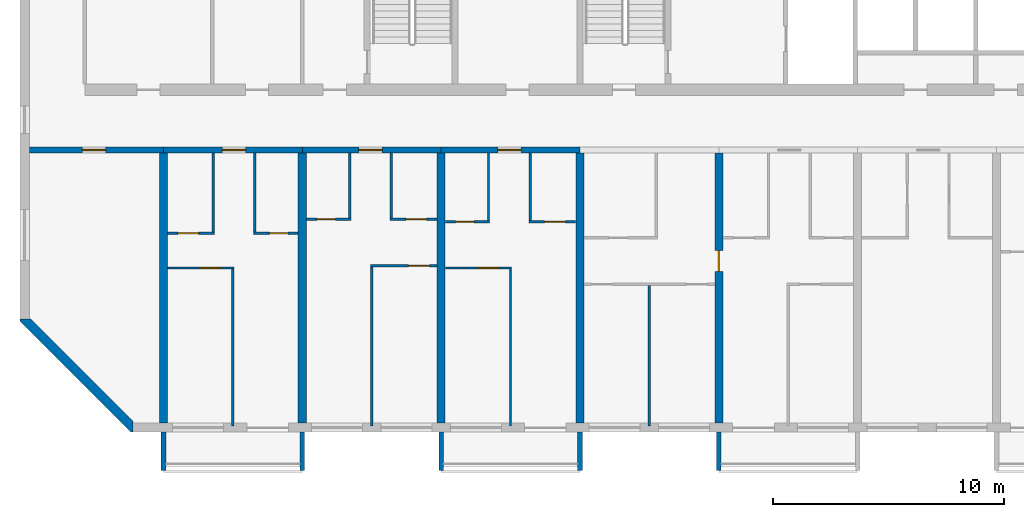
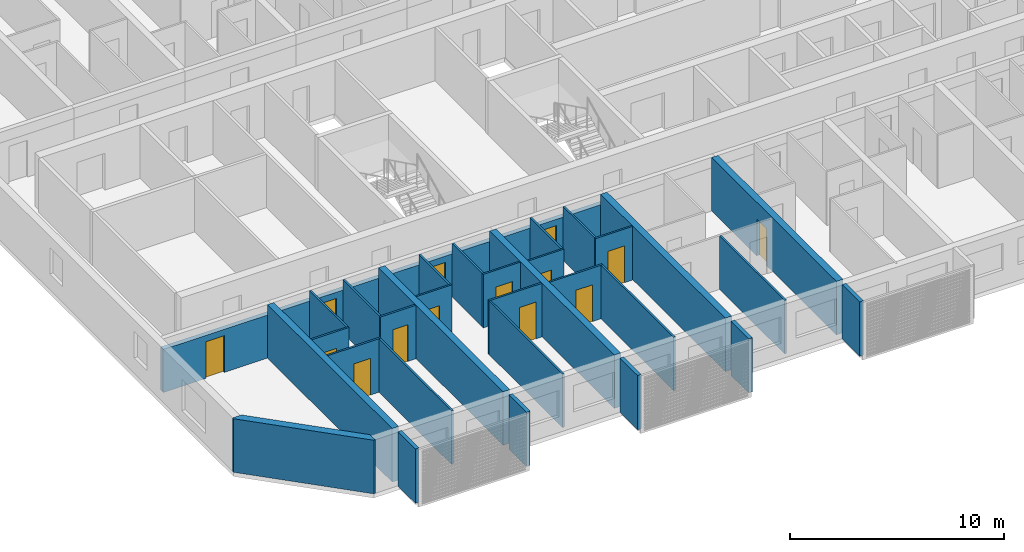
# One storey, part 2 of 27: 34 walls, 14 doors, 14 openings.
"""IFC4 building model written with IfcOpenShell, lengths in metres."""

from ifc_helpers import new_model, si_unit, direction, frame, frame_2d, origin, place, context, subcontext, project, spatial, polyline, rectangle, outline, extrude, source, transform, mapped, material, layer, layer_set, type_object, element, fill, save


model = new_model("IFC4")

# Units and contexts
model_context = context("Model", 3, precision=1e-05, world=origin(), true_north=direction((0.0, 1.0)))
body_context = subcontext(model_context, "Body", "Model", "MODEL_VIEW")
ifc_project = project(units=[si_unit("LENGTHUNIT", "METRE"), si_unit("AREAUNIT", "SQUARE_METRE"), si_unit("VOLUMEUNIT", "CUBIC_METRE"), si_unit("PLANEANGLEUNIT", "RADIAN"), si_unit("MASSUNIT", "GRAM", prefix="KILO")], contexts=[model_context])

# Site, building, storey
site_placement = place(None, origin())
site = spatial("IfcSite", under=ifc_project, at=site_placement, CompositionType="ELEMENT")
building_placement = place(site_placement, origin())
building = spatial("IfcBuilding", under=site, at=building_placement, Name="Poui Terraces", CompositionType="ELEMENT")
storey_placement = place(building_placement, frame((0.0, 0.0, 76.199951171875)))
storey = spatial("IfcBuildingStorey", under=building, at=storey_placement, Name="L20", CompositionType="ELEMENT", Elevation=76.199951171875)

# Wall, opening, door
ifc_material_1 = material(Name="Concrete 65 MPa", Category="concrete")
ifc_layer_1 = layer(ifc_material_1, 0.25)
ifc_layer_set_1 = layer_set([ifc_layer_1], Name="Concrete 65 MPa")
wall_type_1 = type_object("IfcWallType", Name="CORRIDOR WALL 250 65MPa", PredefinedType="SHEAR", material=ifc_layer_set_1)
wall_1_placement = place(storey_placement, frame((6.199951171875, 12.0, 0.0), z_axis=(0.0, 0.0, 1.0), x_axis=(1.0, 0.0, 0.0)))
wall_1 = element("IfcWall", 1, at=wall_1_placement, inside=storey, type_object=wall_type_1, Name="CORRIDOR WALL LINE B BAY 1", PredefinedType="SHEAR", context=body_context, shape_type="SweptSolid", body=[
    extrude(rectangle(XDim=5.800048828125, YDim=0.25, at=frame_2d((2.89990234375, 0.0))), origin(), (0.0, 0.0, 1.0), 2.4599609375),
])
opening_1_placement = place(wall_1_placement, frame((2.300048828125, 0.0, 0.0)))
opening_1 = element("IfcOpeningElement", 2, at=opening_1_placement, cuts=wall_1, Name="Opening D100", PredefinedType="OPENING", context=body_context, shape_type="SweptSolid", body=[
    extrude(rectangle(XDim=1.0, YDim=2.10009765625, at=frame_2d((0.5, 1.050048828125))), frame((0.0, 0.135009765625, 0.0), z_axis=(0.0, -1.0, 0.0), x_axis=(1.0, 0.0, 0.0)), (0.0, 0.0, 1.0), 0.27001953125),
])
ifc_material_2 = material(Name="Solid core timber door", Category="wood")
door_type_1 = type_object("IfcDoorType", Name="ACCESSIBLE INTERNAL DOOR 1000 X 2100", OperationType="NOTDEFINED", PredefinedType="DOOR", material=ifc_material_2)
door_1_placement = place(opening_1_placement, frame((1.0, 0.0, 0.0), z_axis=(0.0, 0.0, 1.0), x_axis=(-1.0, 0.0, 0.0)))
door_1 = element("IfcDoor", 3, at=door_1_placement, inside=storey, type_object=door_type_1, Name="ACCESSIBLE INTERNAL DOOR 083", OperationType="SINGLE_SWING_RIGHT", OverallHeight=2.10009765625, OverallWidth=1.0, PredefinedType="DOOR", context=body_context, shape_type="SweptSolid", body=[
    extrude(rectangle(XDim=1.0, YDim=2.10009765625, at=frame_2d((0.5, 1.050048828125))), frame((0.0, 0.02490234375, 0.0), z_axis=(0.0, -1.0, 0.0), x_axis=(1.0, 0.0, 0.0)), (0.0, 0.0, 1.0), 0.050048828125),
])
fill(opening_1, door_1)

wall_2_placement = place(storey_placement, frame((12.0, 12.0, 0.0), z_axis=(0.0, 0.0, 1.0), x_axis=(1.0, 0.0, 0.0)))
wall_2 = element("IfcWall", 4, at=wall_2_placement, inside=storey, type_object=wall_type_1, Name="CORRIDOR WALL LINE B BAY 2", PredefinedType="SHEAR", context=body_context, shape_type="SweptSolid", body=[
    extrude(rectangle(XDim=6.0, YDim=0.25, at=frame_2d((3.0, 0.0))), origin(), (0.0, 0.0, 1.0), 2.4599609375),
])
opening_2_placement = place(wall_2_placement, frame((2.550048828125, 0.0, 0.0)))
opening_2 = element("IfcOpeningElement", 5, at=opening_2_placement, cuts=wall_2, Name="Opening FD30S", PredefinedType="OPENING", context=body_context, shape_type="SweptSolid", body=[
    extrude(rectangle(XDim=1.0, YDim=2.10009765625, at=frame_2d((0.5, 1.050048828125))), frame((0.0, 0.135009765625, 0.0), z_axis=(0.0, -1.0, 0.0), x_axis=(1.0, 0.0, 0.0)), (0.0, 0.0, 1.0), 0.27001953125),
])
ifc_material_3 = material(Name="Steel fire door", Category="steel")
door_type_2 = type_object("IfcDoorType", Name="FLAT ENTRANCE DOOR 1000 X 2100", OperationType="NOTDEFINED", PredefinedType="DOOR", material=ifc_material_3)
door_2_placement = place(opening_2_placement, frame((1.0, 0.0, 0.0), z_axis=(0.0, 0.0, 1.0), x_axis=(-1.0, 0.0, 0.0)))
door_2 = element("IfcDoor", 6, at=door_2_placement, inside=storey, type_object=door_type_2, Name="FLAT ENTRANCE DOOR 086", OperationType="SINGLE_SWING_LEFT", OverallHeight=2.10009765625, OverallWidth=1.0, PredefinedType="DOOR", context=body_context, shape_type="SweptSolid", body=[
    extrude(rectangle(XDim=1.0, YDim=2.10009765625, at=frame_2d((0.5, 1.050048828125))), frame((0.0, 0.02490234375, 0.0), z_axis=(0.0, -1.0, 0.0), x_axis=(1.0, 0.0, 0.0)), (0.0, 0.0, 1.0), 0.050048828125),
])
fill(opening_2, door_2)

wall_3_placement = place(storey_placement, frame((18.0, 12.0, 0.0), z_axis=(0.0, 0.0, 1.0), x_axis=(1.0, 0.0, 0.0)))
wall_3 = element("IfcWall", 7, at=wall_3_placement, inside=storey, type_object=wall_type_1, Name="CORRIDOR WALL LINE B BAY 3", PredefinedType="SHEAR", context=body_context, shape_type="SweptSolid", body=[
    extrude(rectangle(XDim=6.0, YDim=0.25, at=frame_2d((3.0, 0.0))), origin(), (0.0, 0.0, 1.0), 2.4599609375),
])
opening_3_placement = place(wall_3_placement, frame((2.449951171875, 0.0, 0.0)))
opening_3 = element("IfcOpeningElement", 8, at=opening_3_placement, cuts=wall_3, Name="Opening FD30S", PredefinedType="OPENING", context=body_context, shape_type="SweptSolid", body=[
    extrude(rectangle(XDim=1.0, YDim=2.10009765625, at=frame_2d((0.5, 1.050048828125))), frame((0.0, 0.135009765625, 0.0), z_axis=(0.0, -1.0, 0.0), x_axis=(1.0, 0.0, 0.0)), (0.0, 0.0, 1.0), 0.27001953125),
])
door_3_placement = place(opening_3_placement, frame((1.0, 0.0, 0.0), z_axis=(0.0, 0.0, 1.0), x_axis=(-1.0, 0.0, 0.0)))
door_3 = element("IfcDoor", 9, at=door_3_placement, inside=storey, type_object=door_type_2, Name="FLAT ENTRANCE DOOR 089", OperationType="SINGLE_SWING_RIGHT", OverallHeight=2.10009765625, OverallWidth=1.0, PredefinedType="DOOR", context=body_context, shape_type="SweptSolid", body=[
    extrude(rectangle(XDim=1.0, YDim=2.10009765625, at=frame_2d((0.5, 1.050048828125))), frame((0.0, 0.02490234375, 0.0), z_axis=(0.0, -1.0, 0.0), x_axis=(1.0, 0.0, 0.0)), (0.0, 0.0, 1.0), 0.050048828125),
])
fill(opening_3, door_3)

wall_4_placement = place(storey_placement, frame((24.0, 12.0, 0.0), z_axis=(0.0, 0.0, 1.0), x_axis=(1.0, 0.0, 0.0)))
wall_4 = element("IfcWall", 10, at=wall_4_placement, inside=storey, type_object=wall_type_1, Name="CORRIDOR WALL LINE B BAY 4", PredefinedType="SHEAR", context=body_context, shape_type="SweptSolid", body=[
    extrude(rectangle(XDim=6.0, YDim=0.25, at=frame_2d((3.0, 0.0))), origin(), (0.0, 0.0, 1.0), 2.4599609375),
])
opening_4_placement = place(wall_4_placement, frame((2.449951171875, 0.0, 0.0)))
opening_4 = element("IfcOpeningElement", 11, at=opening_4_placement, cuts=wall_4, Name="Opening FD30S", PredefinedType="OPENING", context=body_context, shape_type="SweptSolid", body=[
    extrude(rectangle(XDim=1.0, YDim=2.10009765625, at=frame_2d((0.5, 1.050048828125))), frame((0.0, 0.135009765625, 0.0), z_axis=(0.0, -1.0, 0.0), x_axis=(1.0, 0.0, 0.0)), (0.0, 0.0, 1.0), 0.27001953125),
])
door_4_placement = place(opening_4_placement, frame((1.0, 0.0, 0.0), z_axis=(0.0, 0.0, 1.0), x_axis=(-1.0, 0.0, 0.0)))
door_4 = element("IfcDoor", 12, at=door_4_placement, inside=storey, type_object=door_type_2, Name="FLAT ENTRANCE DOOR 094", OperationType="SINGLE_SWING_RIGHT", OverallHeight=2.10009765625, OverallWidth=1.0, PredefinedType="DOOR", context=body_context, shape_type="SweptSolid", body=[
    extrude(rectangle(XDim=1.0, YDim=2.10009765625, at=frame_2d((0.5, 1.050048828125))), frame((0.0, 0.02490234375, 0.0), z_axis=(0.0, -1.0, 0.0), x_axis=(1.0, 0.0, 0.0)), (0.0, 0.0, 1.0), 0.050048828125),
])
fill(opening_4, door_4)

# Walls
ifc_layer_2 = layer(ifc_material_1, 0.35009765625)
ifc_layer_set_2 = layer_set([ifc_layer_2], Name="Concrete 65 MPa")
wall_type_2 = type_object("IfcWallType", Name="CROSS WALL 350 65MPa", PredefinedType="SHEAR", material=ifc_layer_set_2)
for number, where, z_axis, x_axis, name in (
    (13, (12.0, 0.199951171875, 0.0), (0.0, 0.0, 1.0), (0.0, 1.0, 0.0), "CROSS WALL LINE 3 SOUTH"),
    (14, (18.0, 0.199951171875, 0.0), (0.0, 0.0, 1.0), (0.0, 1.0, 0.0), "CROSS WALL LINE 4 SOUTH"),
    (15, (24.0, 0.199951171875, 0.0), (0.0, 0.0, 1.0), (0.0, 1.0, 0.0), "CROSS WALL LINE 5 SOUTH"),
    (16, (30.0, 0.199951171875, 0.0), (0.0, 0.0, 1.0), (0.0, 1.0, 0.0), "CROSS WALL LINE 6 SOUTH"),
):
    element("IfcWall", number, at=place(storey_placement, frame(where, z_axis=z_axis, x_axis=x_axis)), inside=storey, type_object=wall_type_2, Name=name, PredefinedType="SHEAR", context=body_context, shape_type="SweptSolid", body=[
        extrude(rectangle(XDim=11.675048828125, YDim=0.35009765625, at=frame_2d((5.83740234375, 0.0))), origin(), (0.0, 0.0, 1.0), 3.06005859375),
    ])

# Wall, opening, door
wall_5_placement = place(storey_placement, frame((36.0, 0.199951171875, 0.0), z_axis=(0.0, 0.0, 1.0), x_axis=(0.0, 1.0, 0.0)))
wall_5 = element("IfcWall", 17, at=wall_5_placement, inside=storey, type_object=wall_type_2, Name="CROSS WALL LINE 7 SOUTH", PredefinedType="SHEAR", context=body_context, shape_type="SweptSolid", body=[
    extrude(rectangle(XDim=11.675048828125, YDim=0.35009765625, at=frame_2d((5.83740234375, 0.0))), origin(), (0.0, 0.0, 1.0), 3.06005859375),
])
opening_5_placement = place(wall_5_placement, frame((6.550048828125, 0.0, 0.0)))
opening_5 = element("IfcOpeningElement", 18, at=opening_5_placement, cuts=wall_5, Name="Opening D90", PredefinedType="OPENING", context=body_context, shape_type="SweptSolid", body=[
    extrude(rectangle(XDim=0.89990234375, YDim=2.10009765625, at=frame_2d((0.449951171875, 1.050048828125))), frame((0.0, 0.18505859375, 0.0), z_axis=(0.0, -1.0, 0.0), x_axis=(1.0, 0.0, 0.0)), (0.0, 0.0, 1.0), 0.3701171875),
])
door_type_3 = type_object("IfcDoorType", Name="INTERNAL DOOR 900 X 2100", OperationType="NOTDEFINED", PredefinedType="DOOR", material=ifc_material_2)
door_5_placement = place(opening_5_placement, frame((0.89990234375, 0.0, 0.0), z_axis=(0.0, 0.0, 1.0), x_axis=(-1.0, 0.0, 0.0)))
door_5 = element("IfcDoor", 19, at=door_5_placement, inside=storey, type_object=door_type_3, Name="INTERNAL DOOR 099", OperationType="SINGLE_SWING_LEFT", OverallHeight=2.10009765625, OverallWidth=0.89990234375, PredefinedType="DOOR", context=body_context, shape_type="SweptSolid", body=[
    extrude(rectangle(XDim=0.89990234375, YDim=2.10009765625, at=frame_2d((0.449951171875, 1.050048828125))), frame((0.0, 0.02490234375, 0.0), z_axis=(0.0, -1.0, 0.0), x_axis=(1.0, 0.0, 0.0)), (0.0, 0.0, 1.0), 0.050048828125),
])
fill(opening_5, door_5)

ifc_material_4 = material(Name="Plasterboard partition")
ifc_layer_3 = layer(ifc_material_4, 0.10009765625)
ifc_layer_set_3 = layer_set([ifc_layer_3], Name="Plasterboard partition")
wall_type_3 = type_object("IfcWallType", Name="FLAT PARTITION 100", PredefinedType="PARTITIONING", material=ifc_layer_set_3)
wall_6_placement = place(storey_placement, frame((12.18505859375, 6.89990234375, 0.0), z_axis=(0.0, 0.0, 1.0), x_axis=(1.0, 0.0, 0.0)))
wall_6 = element("IfcWall", 20, at=wall_6_placement, inside=storey, type_object=wall_type_3, Name="FLAT PARTITION 100", PredefinedType="PARTITIONING", context=body_context, shape_type="SweptSolid", body=[
    extrude(rectangle(XDim=2.864990234375, YDim=0.10009765625, at=frame_2d((1.4326171875, 0.0))), origin(), (0.0, 0.0, 1.0), 3.06005859375),
])
opening_6_placement = place(wall_6_placement, frame((1.4150390625, 0.0, 0.0)))
opening_6 = element("IfcOpeningElement", 21, at=opening_6_placement, cuts=wall_6, Name="Opening D90", PredefinedType="OPENING", context=body_context, shape_type="SweptSolid", body=[
    extrude(rectangle(XDim=0.89990234375, YDim=2.10009765625, at=frame_2d((0.449951171875, 1.050048828125))), frame((0.0, 0.06005859375, 0.0), z_axis=(0.0, -1.0, 0.0), x_axis=(1.0, 0.0, 0.0)), (0.0, 0.0, 1.0), 0.1201171875),
])
door_6_placement = place(opening_6_placement, origin())
door_6 = element("IfcDoor", 22, at=door_6_placement, inside=storey, type_object=door_type_3, Name="INTERNAL DOOR 085", OperationType="SINGLE_SWING_LEFT", OverallHeight=2.10009765625, OverallWidth=0.89990234375, PredefinedType="DOOR", context=body_context, shape_type="SweptSolid", body=[
    extrude(rectangle(XDim=0.89990234375, YDim=2.10009765625, at=frame_2d((0.449951171875, 1.050048828125))), frame((0.0, 0.02490234375, 0.0), z_axis=(0.0, -1.0, 0.0), x_axis=(1.0, 0.0, 0.0)), (0.0, 0.0, 1.0), 0.050048828125),
])
fill(opening_6, door_6)

wall_7_placement = place(storey_placement, frame((24.18505859375, 6.89990234375, 0.0), z_axis=(0.0, 0.0, 1.0), x_axis=(1.0, 0.0, 0.0)))
wall_7 = element("IfcWall", 23, at=wall_7_placement, inside=storey, type_object=wall_type_3, Name="FLAT PARTITION 100", PredefinedType="PARTITIONING", context=body_context, shape_type="SweptSolid", body=[
    extrude(rectangle(XDim=2.864990234375, YDim=0.10009765625, at=frame_2d((1.4326171875, 0.0))), origin(), (0.0, 0.0, 1.0), 3.06005859375),
])
opening_7_placement = place(wall_7_placement, frame((1.4150390625, 0.0, 0.0)))
opening_7 = element("IfcOpeningElement", 24, at=opening_7_placement, cuts=wall_7, Name="Opening D90", PredefinedType="OPENING", context=body_context, shape_type="SweptSolid", body=[
    extrude(rectangle(XDim=0.89990234375, YDim=2.10009765625, at=frame_2d((0.449951171875, 1.050048828125))), frame((0.0, 0.06005859375, 0.0), z_axis=(0.0, -1.0, 0.0), x_axis=(1.0, 0.0, 0.0)), (0.0, 0.0, 1.0), 0.1201171875),
])
door_7_placement = place(opening_7_placement, origin())
door_7 = element("IfcDoor", 25, at=door_7_placement, inside=storey, type_object=door_type_3, Name="INTERNAL DOOR 093", OperationType="SINGLE_SWING_LEFT", OverallHeight=2.10009765625, OverallWidth=0.89990234375, PredefinedType="DOOR", context=body_context, shape_type="SweptSolid", body=[
    extrude(rectangle(XDim=0.89990234375, YDim=2.10009765625, at=frame_2d((0.449951171875, 1.050048828125))), frame((0.0, 0.02490234375, 0.0), z_axis=(0.0, -1.0, 0.0), x_axis=(1.0, 0.0, 0.0)), (0.0, 0.0, 1.0), 0.050048828125),
])
fill(opening_7, door_7)

wall_8_placement = place(storey_placement, frame((20.949951171875, 7.0, 0.0), z_axis=(0.0, 0.0, 1.0), x_axis=(1.0, 0.0, 0.0)))
wall_8 = element("IfcWall", 26, at=wall_8_placement, inside=storey, type_object=wall_type_3, Name="FLAT PARTITION 100", PredefinedType="PARTITIONING", context=body_context, shape_type="SweptSolid", body=[
    extrude(rectangle(XDim=2.864990234375, YDim=0.10009765625, at=frame_2d((1.4326171875, 0.0))), origin(), (0.0, 0.0, 1.0), 3.06005859375),
])
opening_8_placement = place(wall_8_placement, frame((1.64990234375, 0.0, 0.0)))
opening_8 = element("IfcOpeningElement", 27, at=opening_8_placement, cuts=wall_8, Name="Opening D90", PredefinedType="OPENING", context=body_context, shape_type="SweptSolid", body=[
    extrude(rectangle(XDim=0.89990234375, YDim=2.10009765625, at=frame_2d((0.449951171875, 1.050048828125))), frame((0.0, 0.06005859375, 0.0), z_axis=(0.0, -1.0, 0.0), x_axis=(1.0, 0.0, 0.0)), (0.0, 0.0, 1.0), 0.1201171875),
])
door_8_placement = place(opening_8_placement, origin())
door_8 = element("IfcDoor", 28, at=door_8_placement, inside=storey, type_object=door_type_3, Name="INTERNAL DOOR 091", OperationType="SINGLE_SWING_LEFT", OverallHeight=2.10009765625, OverallWidth=0.89990234375, PredefinedType="DOOR", context=body_context, shape_type="SweptSolid", body=[
    extrude(rectangle(XDim=0.89990234375, YDim=2.10009765625, at=frame_2d((0.449951171875, 1.050048828125))), frame((0.0, 0.02490234375, 0.0), z_axis=(0.0, -1.0, 0.0), x_axis=(1.0, 0.0, 0.0)), (0.0, 0.0, 1.0), 0.050048828125),
])
fill(opening_8, door_8)

wall_9_placement = place(storey_placement, frame((12.18505859375, 8.39990234375, 0.0), z_axis=(0.0, 0.0, 1.0), x_axis=(1.0, 0.0, 0.0)))
wall_9 = element("IfcWall", 29, at=wall_9_placement, inside=storey, type_object=wall_type_3, Name="FLAT PARTITION 100", PredefinedType="PARTITIONING", context=body_context, shape_type="SweptSolid", body=[
    extrude(rectangle(XDim=2.014892578125, YDim=0.10009765625, at=frame_2d((1.00732421875, 0.0))), origin(), (0.0, 0.0, 1.0), 3.06005859375),
])
opening_9_placement = place(wall_9_placement, frame((0.43994140625, 0.0, 0.0)))
opening_9 = element("IfcOpeningElement", 30, at=opening_9_placement, cuts=wall_9, Name="Opening D90", PredefinedType="OPENING", context=body_context, shape_type="SweptSolid", body=[
    extrude(rectangle(XDim=0.89990234375, YDim=2.10009765625, at=frame_2d((0.449951171875, 1.050048828125))), frame((0.0, 0.06005859375, 0.0), z_axis=(0.0, -1.0, 0.0), x_axis=(1.0, 0.0, 0.0)), (0.0, 0.0, 1.0), 0.1201171875),
])
door_9_placement = place(opening_9_placement, origin())
door_9 = element("IfcDoor", 31, at=door_9_placement, inside=storey, type_object=door_type_3, Name="INTERNAL DOOR 084", OperationType="SINGLE_SWING_RIGHT", OverallHeight=2.10009765625, OverallWidth=0.89990234375, PredefinedType="DOOR", context=body_context, shape_type="SweptSolid", body=[
    extrude(rectangle(XDim=0.89990234375, YDim=2.10009765625, at=frame_2d((0.449951171875, 1.050048828125))), frame((0.0, 0.02490234375, 0.0), z_axis=(0.0, -1.0, 0.0), x_axis=(1.0, 0.0, 0.0)), (0.0, 0.0, 1.0), 0.050048828125),
])
fill(opening_9, door_9)

wall_10_placement = place(storey_placement, frame((15.89990234375, 8.39990234375, 0.0), z_axis=(0.0, 0.0, 1.0), x_axis=(1.0, 0.0, 0.0)))
wall_10 = element("IfcWall", 32, at=wall_10_placement, inside=storey, type_object=wall_type_3, Name="FLAT PARTITION 100", PredefinedType="PARTITIONING", context=body_context, shape_type="SweptSolid", body=[
    extrude(rectangle(XDim=1.9150390625, YDim=0.10009765625, at=frame_2d((0.95751953125, 0.0))), origin(), (0.0, 0.0, 1.0), 3.06005859375),
])
opening_10_placement = place(wall_10_placement, frame((0.675048828125, 0.0, 0.0)))
opening_10 = element("IfcOpeningElement", 33, at=opening_10_placement, cuts=wall_10, Name="Opening D80", PredefinedType="OPENING", context=body_context, shape_type="SweptSolid", body=[
    extrude(rectangle(XDim=0.800048828125, YDim=2.10009765625, at=frame_2d((0.39990234375, 1.050048828125))), frame((0.0, 0.06005859375, 0.0), z_axis=(0.0, -1.0, 0.0), x_axis=(1.0, 0.0, 0.0)), (0.0, 0.0, 1.0), 0.1201171875),
])
door_type_4 = type_object("IfcDoorType", Name="BATHROOM, LAUNDRY AND STORE DOOR 800 X 2100", OperationType="NOTDEFINED", PredefinedType="DOOR", material=ifc_material_2)
door_10_placement = place(opening_10_placement, origin())
door_10 = element("IfcDoor", 34, at=door_10_placement, inside=storey, type_object=door_type_4, Name="BATHROOM, LAUNDRY AND STORE DOOR 087", OperationType="SINGLE_SWING_LEFT", OverallHeight=2.10009765625, OverallWidth=0.800048828125, PredefinedType="DOOR", context=body_context, shape_type="SweptSolid", body=[
    extrude(rectangle(XDim=0.800048828125, YDim=2.10009765625, at=frame_2d((0.39990234375, 1.050048828125))), frame((0.0, 0.02490234375, 0.0), z_axis=(0.0, -1.0, 0.0), x_axis=(1.0, 0.0, 0.0)), (0.0, 0.0, 1.0), 0.050048828125),
])
fill(opening_10, door_10)

wall_11_placement = place(storey_placement, frame((24.18505859375, 8.89990234375, 0.0), z_axis=(0.0, 0.0, 1.0), x_axis=(1.0, 0.0, 0.0)))
wall_11 = element("IfcWall", 35, at=wall_11_placement, inside=storey, type_object=wall_type_3, Name="FLAT PARTITION 100", PredefinedType="PARTITIONING", context=body_context, shape_type="SweptSolid", body=[
    extrude(rectangle(XDim=1.9150390625, YDim=0.10009765625, at=frame_2d((0.95751953125, 0.0))), origin(), (0.0, 0.0, 1.0), 3.06005859375),
])
opening_11_placement = place(wall_11_placement, frame((0.43994140625, 0.0, 0.0)))
opening_11 = element("IfcOpeningElement", 36, at=opening_11_placement, cuts=wall_11, Name="Opening D80", PredefinedType="OPENING", context=body_context, shape_type="SweptSolid", body=[
    extrude(rectangle(XDim=0.800048828125, YDim=2.10009765625, at=frame_2d((0.39990234375, 1.050048828125))), frame((0.0, 0.06005859375, 0.0), z_axis=(0.0, -1.0, 0.0), x_axis=(1.0, 0.0, 0.0)), (0.0, 0.0, 1.0), 0.1201171875),
])
door_11_placement = place(opening_11_placement, origin())
door_11 = element("IfcDoor", 37, at=door_11_placement, inside=storey, type_object=door_type_4, Name="BATHROOM, LAUNDRY AND STORE DOOR 092", OperationType="SINGLE_SWING_RIGHT", OverallHeight=2.10009765625, OverallWidth=0.800048828125, PredefinedType="DOOR", context=body_context, shape_type="SweptSolid", body=[
    extrude(rectangle(XDim=0.800048828125, YDim=2.10009765625, at=frame_2d((0.39990234375, 1.050048828125))), frame((0.0, 0.02490234375, 0.0), z_axis=(0.0, -1.0, 0.0), x_axis=(1.0, 0.0, 0.0)), (0.0, 0.0, 1.0), 0.050048828125),
])
fill(opening_11, door_11)

wall_12_placement = place(storey_placement, frame((27.800048828125, 8.89990234375, 0.0), z_axis=(0.0, 0.0, 1.0), x_axis=(1.0, 0.0, 0.0)))
wall_12 = element("IfcWall", 38, at=wall_12_placement, inside=storey, type_object=wall_type_3, Name="FLAT PARTITION 100", PredefinedType="PARTITIONING", context=body_context, shape_type="SweptSolid", body=[
    extrude(rectangle(XDim=2.014892578125, YDim=0.10009765625, at=frame_2d((1.00732421875, 0.0))), origin(), (0.0, 0.0, 1.0), 3.06005859375),
])
opening_12_placement = place(wall_12_placement, frame((0.675048828125, 0.0, 0.0)))
opening_12 = element("IfcOpeningElement", 39, at=opening_12_placement, cuts=wall_12, Name="Opening D90", PredefinedType="OPENING", context=body_context, shape_type="SweptSolid", body=[
    extrude(rectangle(XDim=0.89990234375, YDim=2.10009765625, at=frame_2d((0.449951171875, 1.050048828125))), frame((0.0, 0.06005859375, 0.0), z_axis=(0.0, -1.0, 0.0), x_axis=(1.0, 0.0, 0.0)), (0.0, 0.0, 1.0), 0.1201171875),
])
door_12_placement = place(opening_12_placement, origin())
door_12 = element("IfcDoor", 40, at=door_12_placement, inside=storey, type_object=door_type_3, Name="INTERNAL DOOR 095", OperationType="SINGLE_SWING_LEFT", OverallHeight=2.10009765625, OverallWidth=0.89990234375, PredefinedType="DOOR", context=body_context, shape_type="SweptSolid", body=[
    extrude(rectangle(XDim=0.89990234375, YDim=2.10009765625, at=frame_2d((0.449951171875, 1.050048828125))), frame((0.0, 0.02490234375, 0.0), z_axis=(0.0, -1.0, 0.0), x_axis=(1.0, 0.0, 0.0)), (0.0, 0.0, 1.0), 0.050048828125),
])
fill(opening_12, door_12)

wall_13_placement = place(storey_placement, frame((18.18505859375, 9.0, 0.0), z_axis=(0.0, 0.0, 1.0), x_axis=(1.0, 0.0, 0.0)))
wall_13 = element("IfcWall", 41, at=wall_13_placement, inside=storey, type_object=wall_type_3, Name="FLAT PARTITION 100", PredefinedType="PARTITIONING", context=body_context, shape_type="SweptSolid", body=[
    extrude(rectangle(XDim=1.9150390625, YDim=0.10009765625, at=frame_2d((0.95751953125, 0.0))), origin(), (0.0, 0.0, 1.0), 3.06005859375),
])
opening_13_placement = place(wall_13_placement, frame((0.43994140625, 0.0, 0.0)))
opening_13 = element("IfcOpeningElement", 42, at=opening_13_placement, cuts=wall_13, Name="Opening D80", PredefinedType="OPENING", context=body_context, shape_type="SweptSolid", body=[
    extrude(rectangle(XDim=0.800048828125, YDim=2.10009765625, at=frame_2d((0.39990234375, 1.050048828125))), frame((0.0, 0.06005859375, 0.0), z_axis=(0.0, -1.0, 0.0), x_axis=(1.0, 0.0, 0.0)), (0.0, 0.0, 1.0), 0.1201171875),
])
door_13_placement = place(opening_13_placement, origin())
door_13 = element("IfcDoor", 43, at=door_13_placement, inside=storey, type_object=door_type_4, Name="BATHROOM, LAUNDRY AND STORE DOOR 088", OperationType="SINGLE_SWING_LEFT", OverallHeight=2.10009765625, OverallWidth=0.800048828125, PredefinedType="DOOR", context=body_context, shape_type="SweptSolid", body=[
    extrude(rectangle(XDim=0.800048828125, YDim=2.10009765625, at=frame_2d((0.39990234375, 1.050048828125))), frame((0.0, 0.02490234375, 0.0), z_axis=(0.0, -1.0, 0.0), x_axis=(1.0, 0.0, 0.0)), (0.0, 0.0, 1.0), 0.050048828125),
])
fill(opening_13, door_13)

wall_14_placement = place(storey_placement, frame((21.800048828125, 9.0, 0.0), z_axis=(0.0, 0.0, 1.0), x_axis=(1.0, 0.0, 0.0)))
wall_14 = element("IfcWall", 44, at=wall_14_placement, inside=storey, type_object=wall_type_3, Name="FLAT PARTITION 100", PredefinedType="PARTITIONING", context=body_context, shape_type="SweptSolid", body=[
    extrude(rectangle(XDim=2.014892578125, YDim=0.10009765625, at=frame_2d((1.00732421875, 0.0))), origin(), (0.0, 0.0, 1.0), 3.06005859375),
])
opening_14_placement = place(wall_14_placement, frame((0.675048828125, 0.0, 0.0)))
opening_14 = element("IfcOpeningElement", 45, at=opening_14_placement, cuts=wall_14, Name="Opening D90", PredefinedType="OPENING", context=body_context, shape_type="SweptSolid", body=[
    extrude(rectangle(XDim=0.89990234375, YDim=2.10009765625, at=frame_2d((0.449951171875, 1.050048828125))), frame((0.0, 0.06005859375, 0.0), z_axis=(0.0, -1.0, 0.0), x_axis=(1.0, 0.0, 0.0)), (0.0, 0.0, 1.0), 0.1201171875),
])
door_14_placement = place(opening_14_placement, origin())
door_14 = element("IfcDoor", 46, at=door_14_placement, inside=storey, type_object=door_type_3, Name="INTERNAL DOOR 090", OperationType="SINGLE_SWING_RIGHT", OverallHeight=2.10009765625, OverallWidth=0.89990234375, PredefinedType="DOOR", context=body_context, shape_type="SweptSolid", body=[
    extrude(rectangle(XDim=0.89990234375, YDim=2.10009765625, at=frame_2d((0.449951171875, 1.050048828125))), frame((0.0, 0.02490234375, 0.0), z_axis=(0.0, -1.0, 0.0), x_axis=(1.0, 0.0, 0.0)), (0.0, 0.0, 1.0), 0.050048828125),
])
fill(opening_14, door_14)

# Walls
wall_15_placement = place(storey_placement, frame((14.14990234375, 8.449951171875, 0.0), z_axis=(0.0, 0.0, 1.0), x_axis=(0.0, 1.0, 0.0)))
element("IfcWall", 47, at=wall_15_placement, inside=storey, type_object=wall_type_3, Name="FLAT PARTITION 100", PredefinedType="PARTITIONING", context=body_context, shape_type="SweptSolid", body=[
    extrude(rectangle(XDim=3.4150390625, YDim=0.10009765625, at=frame_2d((1.70751953125, 0.0))), origin(), (0.0, 0.0, 1.0), 3.06005859375),
])
wall_16_placement = place(storey_placement, frame((15.0, 0.06005859375, 0.0), z_axis=(0.0, 0.0, 1.0), x_axis=(0.0, 1.0, 0.0)))
element("IfcWall", 48, at=wall_16_placement, inside=storey, type_object=wall_type_3, Name="FLAT PARTITION 100", PredefinedType="PARTITIONING", context=body_context, shape_type="SweptSolid", body=[
    extrude(rectangle(XDim=6.7900390625, YDim=0.10009765625, at=frame_2d((3.39501953125, 0.0))), origin(), (0.0, 0.0, 1.0), 3.06005859375),
])
wall_17_placement = place(storey_placement, frame((15.949951171875, 8.449951171875, 0.0), z_axis=(0.0, 0.0, 1.0), x_axis=(0.0, 1.0, 0.0)))
element("IfcWall", 49, at=wall_17_placement, inside=storey, type_object=wall_type_3, Name="FLAT PARTITION 100", PredefinedType="PARTITIONING", context=body_context, shape_type="SweptSolid", body=[
    extrude(rectangle(XDim=3.4150390625, YDim=0.10009765625, at=frame_2d((1.70751953125, 0.0))), origin(), (0.0, 0.0, 1.0), 3.06005859375),
])
wall_18_placement = place(storey_placement, frame((20.050048828125, 9.050048828125, 0.0), z_axis=(0.0, 0.0, 1.0), x_axis=(0.0, 1.0, 0.0)))
element("IfcWall", 50, at=wall_18_placement, inside=storey, type_object=wall_type_3, Name="FLAT PARTITION 100", PredefinedType="PARTITIONING", context=body_context, shape_type="SweptSolid", body=[
    extrude(rectangle(XDim=2.81494140625, YDim=0.10009765625, at=frame_2d((1.407470703125, 0.0))), origin(), (0.0, 0.0, 1.0), 3.06005859375),
])
wall_19_placement = place(storey_placement, frame((21.0, 0.06005859375, 0.0), z_axis=(0.0, 0.0, 1.0), x_axis=(0.0, 1.0, 0.0)))
element("IfcWall", 51, at=wall_19_placement, inside=storey, type_object=wall_type_3, Name="FLAT PARTITION 100", PredefinedType="PARTITIONING", context=body_context, shape_type="SweptSolid", body=[
    extrude(rectangle(XDim=6.889892578125, YDim=0.10009765625, at=frame_2d((3.44482421875, 0.0))), origin(), (0.0, 0.0, 1.0), 3.06005859375),
])
wall_20_placement = place(storey_placement, frame((21.85009765625, 9.050048828125, 0.0), z_axis=(0.0, 0.0, 1.0), x_axis=(0.0, 1.0, 0.0)))
element("IfcWall", 52, at=wall_20_placement, inside=storey, type_object=wall_type_3, Name="FLAT PARTITION 100", PredefinedType="PARTITIONING", context=body_context, shape_type="SweptSolid", body=[
    extrude(rectangle(XDim=2.81494140625, YDim=0.10009765625, at=frame_2d((1.407470703125, 0.0))), origin(), (0.0, 0.0, 1.0), 3.06005859375),
])
wall_21_placement = place(storey_placement, frame((26.050048828125, 8.949951171875, 0.0), z_axis=(0.0, 0.0, 1.0), x_axis=(0.0, 1.0, 0.0)))
element("IfcWall", 53, at=wall_21_placement, inside=storey, type_object=wall_type_3, Name="FLAT PARTITION 100", PredefinedType="PARTITIONING", context=body_context, shape_type="SweptSolid", body=[
    extrude(rectangle(XDim=2.9150390625, YDim=0.10009765625, at=frame_2d((1.45751953125, 0.0))), origin(), (0.0, 0.0, 1.0), 3.06005859375),
])
wall_22_placement = place(storey_placement, frame((27.0, 0.06005859375, 0.0), z_axis=(0.0, 0.0, 1.0), x_axis=(0.0, 1.0, 0.0)))
element("IfcWall", 54, at=wall_22_placement, inside=storey, type_object=wall_type_3, Name="FLAT PARTITION 100", PredefinedType="PARTITIONING", context=body_context, shape_type="SweptSolid", body=[
    extrude(rectangle(XDim=6.7900390625, YDim=0.10009765625, at=frame_2d((3.39501953125, 0.0))), origin(), (0.0, 0.0, 1.0), 3.06005859375),
])
wall_23_placement = place(storey_placement, frame((27.85009765625, 8.949951171875, 0.0), z_axis=(0.0, 0.0, 1.0), x_axis=(0.0, 1.0, 0.0)))
element("IfcWall", 55, at=wall_23_placement, inside=storey, type_object=wall_type_3, Name="FLAT PARTITION 100", PredefinedType="PARTITIONING", context=body_context, shape_type="SweptSolid", body=[
    extrude(rectangle(XDim=2.9150390625, YDim=0.10009765625, at=frame_2d((1.45751953125, 0.0))), origin(), (0.0, 0.0, 1.0), 3.06005859375),
])
wall_24_placement = place(storey_placement, frame((33.0, 0.06005859375, 0.0), z_axis=(0.0, 0.0, 1.0), x_axis=(0.0, 1.0, 0.0)))
element("IfcWall", 56, at=wall_24_placement, inside=storey, type_object=wall_type_3, Name="FLAT PARTITION 100", PredefinedType="PARTITIONING", context=body_context, shape_type="SweptSolid", body=[
    extrude(rectangle(XDim=6.08984375, YDim=0.10009765625, at=frame_2d((3.044921875, 0.0))), origin(), (0.0, 0.0, 1.0), 3.06005859375),
])
ifc_material_5 = material(Name="Precast concrete 40 MPa", Category="concrete")
ifc_layer_4 = layer(ifc_material_5, 0.39990234375)
ifc_layer_set_4 = layer_set([ifc_layer_4], Name="Precast concrete 40 MPa")
wall_type_4 = type_object("IfcWallType", Name="TERRACOTTA CLAD CHAMFER WALL 400", PredefinedType="STANDARD", material=ifc_layer_set_4)
wall_25_placement = place(storey_placement, origin())
element("IfcWall", 57, at=wall_25_placement, inside=storey, type_object=wall_type_4, Name="CHAMFER WALL CH07", PredefinedType="STANDARD", context=body_context, shape_type="SweptSolid", body=[
    extrude(outline(polyline([(5.800048828125, 4.682861328125), (5.800048828125, 4.60009765625), (10.60009765625, -0.199951171875), (10.682861328125, -0.199951171875), (10.682861328125, 0.28271484375), (6.28271484375, 4.682861328125), (5.800048828125, 4.682861328125)])), origin(), (0.0, 0.0, 1.0), 3.06005859375),
])
ifc_layer_5 = layer(ifc_material_5, 0.199951171875)
ifc_layer_set_5 = layer_set([ifc_layer_5], Name="Precast concrete 40 MPa")
wall_type_5 = type_object("IfcWallType", Name="REAR FIN 200", PredefinedType="STANDARD", material=ifc_layer_set_5)
shared_shape = source(origin(), body_context, "Body", "SweptSolid", [
    extrude(outline(polyline([(0.0, 0.0), (0.2001953125, 0.0), (0.2001953125, 1.650146484375), (0.0, 1.650146484375), (0.0, 0.0)])), origin(), (0.0, 0.0, 1.0), 3.10009765625),
])
for number, where, name in (
    (58, (11.89990234375, -1.85009765625, 0.0), "REAR FIN"),
    (59, (17.89990234375, -1.85009765625, 0.0), "REAR FIN"),
    (60, (23.89990234375, -1.85009765625, 0.0), "REAR FIN"),
    (61, (29.89990234375, -1.85009765625, 0.0), "REAR FIN"),
    (62, (35.89990234375, -1.85009765625, 0.0), "REAR FIN"),
):
    element("IfcWall", number, at=place(storey_placement, frame(where)), inside=storey, type_object=wall_type_5, Name=name, PredefinedType="STANDARD", context=body_context, shape_type="MappedRepresentation", body=[
        mapped(shared_shape, transform((0.0, 0.0, 0.0))),
    ])

save(model, "model.ifc")
